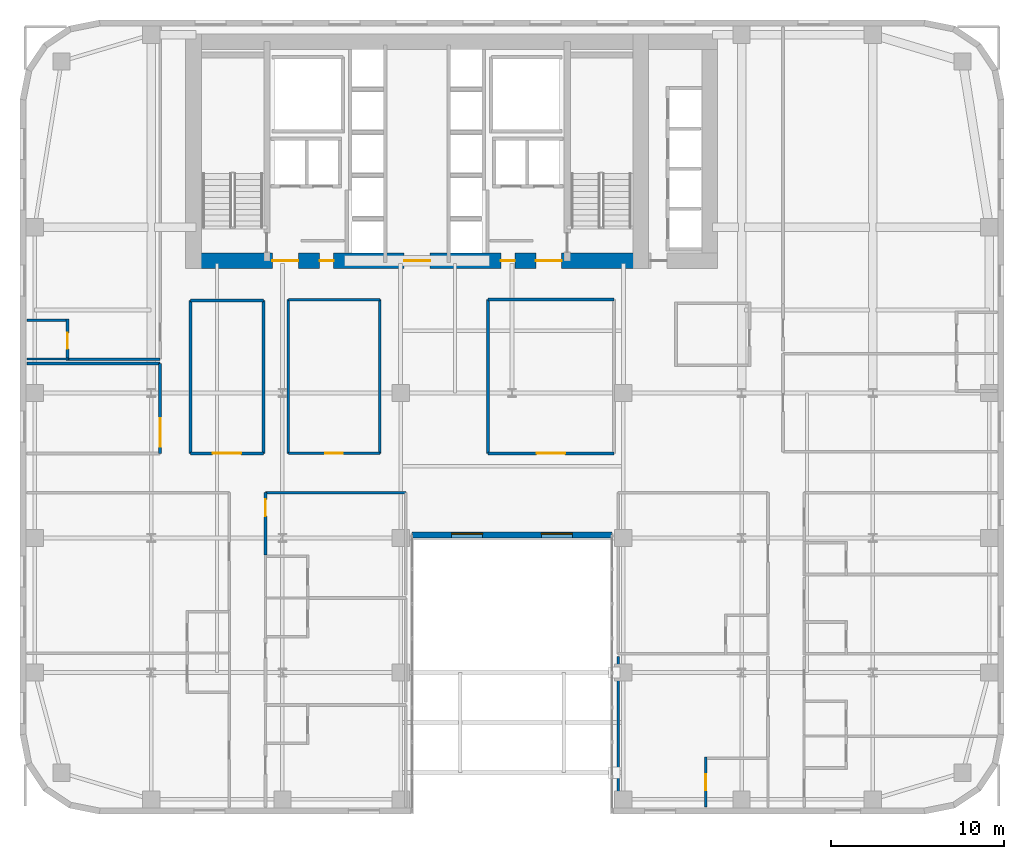
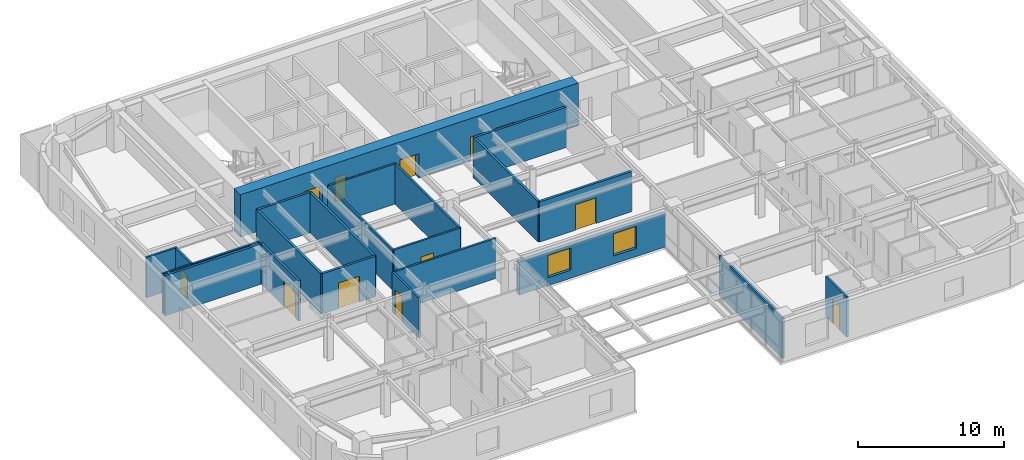
# One storey, part 11 of 16: 23 walls, 12 doors, 2 windows, 14 openings.
"""IFC4 building model written with IfcOpenShell, lengths in metres."""

from ifc_helpers import new_model, si_unit, direction, frame, frame_2d, origin, place, context, subcontext, project, spatial, rectangle, extrude, source, transform, mapped, material, layer, layer_set, type_object, type_shapes, element, fill, save


model = new_model("IFC4")

# Units and contexts
model_context = context("Model", 3, precision=1e-05, world=origin(), true_north=direction((0.0, 1.0)))
body_context = subcontext(model_context, "Body", "Model", "MODEL_VIEW")
ifc_project = project(units=[si_unit("LENGTHUNIT", "METRE"), si_unit("AREAUNIT", "SQUARE_METRE"), si_unit("VOLUMEUNIT", "CUBIC_METRE"), si_unit("PLANEANGLEUNIT", "RADIAN"), si_unit("MASSUNIT", "GRAM", prefix="KILO")], contexts=[model_context])

# Site, building, storey
site_placement = place(None, origin())
site = spatial("IfcSite", under=ifc_project, at=site_placement, CompositionType="ELEMENT")
building_placement = place(site_placement, origin())
building = spatial("IfcBuilding", under=site, at=building_placement, Name="Tolvann Quenvar Hotel", CompositionType="ELEMENT")
storey_placement = place(building_placement, frame((0.0, 0.0, 71.050048828125)))
storey = spatial("IfcBuildingStorey", under=building, at=storey_placement, Name="L17", CompositionType="ELEMENT", Elevation=71.050048828125)

# Wall, openings, doors
ifc_material_1 = material(Name="Concrete S80 (80 MPa)", Category="concrete")
ifc_layer_1 = layer(ifc_material_1, 0.89990234375)
ifc_layer_set_1 = layer_set([ifc_layer_1], Name="Concrete S80 (80 MPa)")
wall_type_1 = type_object("IfcWallType", Name="WALL_CORE_900", PredefinedType="SHEAR", material=ifc_layer_set_1)
wall_1_placement = place(storey_placement, frame((9.60009765625, 32.050048828125, 0.0), z_axis=(0.0, 0.0, 1.0), x_axis=(1.0, 0.0, 0.0)))
wall_1 = element("IfcWall", 1, at=wall_1_placement, inside=storey, type_object=wall_type_1, Name="Rear Core S Shear Wall (L17)", PredefinedType="SHEAR", context=body_context, shape_type="SweptSolid", body=[
    extrude(rectangle(XDim=26.7998046875, YDim=0.89990234375, at=frame_2d((13.39990234375, 0.0))), origin(), (0.0, 0.0, 1.0), 3.550048828125),
])
opening_1_placement = place(wall_1_placement, frame((6.52001953125, 0.0, 0.0), z_axis=(0.0, 0.0, 1.0), x_axis=(-1.0, 0.0, 0.0)))
opening_1 = element("IfcOpeningElement", 2, at=opening_1_placement, cuts=wall_1, Name="Opening FD-60D", PredefinedType="OPENING", context=body_context, shape_type="SweptSolid", body=[
    extrude(rectangle(XDim=1.5, YDim=2.0400390625, at=frame_2d((0.75, 1.02001953125))), frame((0.0, 0.4599609375, 0.0), z_axis=(0.0, -1.0, 0.0), x_axis=(1.0, 0.0, 0.0)), (0.0, 0.0, 1.0), 0.919921875),
])
opening_2_placement = place(wall_1_placement, frame((14.14990234375, 0.0, 0.0), z_axis=(0.0, 0.0, 1.0), x_axis=(-1.0, 0.0, 0.0)))
opening_2 = element("IfcOpeningElement", 3, at=opening_2_placement, cuts=wall_1, Name="Opening FD-60D", PredefinedType="OPENING", context=body_context, shape_type="SweptSolid", body=[
    extrude(rectangle(XDim=1.5, YDim=2.0400390625, at=frame_2d((0.75, 1.02001953125))), frame((0.0, 0.4599609375, 0.0), z_axis=(0.0, -1.0, 0.0), x_axis=(1.0, 0.0, 0.0)), (0.0, 0.0, 1.0), 0.919921875),
])
opening_3_placement = place(wall_1_placement, frame((21.780029296875, 0.0, 0.0), z_axis=(0.0, 0.0, 1.0), x_axis=(-1.0, 0.0, 0.0)))
opening_3 = element("IfcOpeningElement", 4, at=opening_3_placement, cuts=wall_1, Name="Opening FD-60D", PredefinedType="OPENING", context=body_context, shape_type="SweptSolid", body=[
    extrude(rectangle(XDim=1.5, YDim=2.0400390625, at=frame_2d((0.75, 1.02001953125))), frame((0.0, 0.4599609375, 0.0), z_axis=(0.0, -1.0, 0.0), x_axis=(1.0, 0.0, 0.0)), (0.0, 0.0, 1.0), 0.919921875),
])
opening_4_placement = place(wall_1_placement, frame((8.570068359375, 0.0, 0.0), z_axis=(0.0, 0.0, 1.0), x_axis=(-1.0, 0.0, 0.0)))
opening_4 = element("IfcOpeningElement", 5, at=opening_4_placement, cuts=wall_1, Name="Opening HD-02", PredefinedType="OPENING", context=body_context, shape_type="SweptSolid", body=[
    extrude(rectangle(XDim=0.820068359375, YDim=2.010009765625, at=frame_2d((0.41015625, 1.0048828125))), frame((0.0, 0.4599609375, 0.0), z_axis=(0.0, -1.0, 0.0), x_axis=(1.0, 0.0, 0.0)), (0.0, 0.0, 1.0), 0.919921875),
])
opening_5_placement = place(wall_1_placement, frame((19.070068359375, 0.0, 0.0), z_axis=(0.0, 0.0, 1.0), x_axis=(-1.0, 0.0, 0.0)))
opening_5 = element("IfcOpeningElement", 6, at=opening_5_placement, cuts=wall_1, Name="Opening HD-02", PredefinedType="OPENING", context=body_context, shape_type="SweptSolid", body=[
    extrude(rectangle(XDim=0.820068359375, YDim=2.010009765625, at=frame_2d((0.41015625, 1.0048828125))), frame((0.0, 0.4599609375, 0.0), z_axis=(0.0, -1.0, 0.0), x_axis=(1.0, 0.0, 0.0)), (0.0, 0.0, 1.0), 0.919921875),
])
ifc_material_2 = material(Name="Solid-core American oak acoustic fire door leaf in steel frame", Category="steel")
door_type_1 = type_object("IfcDoorType", Name="DOOR_FIRE_LOBBY_1500", OperationType="NOTDEFINED", PredefinedType="DOOR", material=ifc_material_2)
shared_shape_1 = source(origin(), body_context, "Body", "SweptSolid", [
    extrude(rectangle(XDim=1.5, YDim=2.0400390625, at=frame_2d((0.75, 1.02001953125))), frame((0.0, 0.02490234375, 0.0), z_axis=(0.0, -1.0, 0.0), x_axis=(1.0, 0.0, 0.0)), (0.0, 0.0, 1.0), 0.050048828125),
])
type_shapes(door_type_1, [shared_shape_1])
door_1_placement = place(opening_1_placement, origin())
door_1 = element("IfcDoor", 7, at=door_1_placement, inside=storey, type_object=door_type_1, Name="Core Lobby Fire Door FFW (L17)", OperationType="DOUBLE_DOOR_SINGLE_SWING", OverallHeight=2.0400390625, OverallWidth=1.5, PredefinedType="DOOR", context=body_context, shape_type="MappedRepresentation", body=[
    mapped(shared_shape_1, transform((0.0, 0.0, 0.0), x_axis=(1.0, 0.0, 0.0), y_axis=(0.0, 1.0, 0.0), z_axis=(0.0, 0.0, 1.0), scale=1.0)),
])
fill(opening_1, door_1)
door_2_placement = place(opening_2_placement, origin())
door_2 = element("IfcDoor", 8, at=door_2_placement, inside=storey, type_object=door_type_1, Name="Core Lobby Fire Door CLOB (L17)", OperationType="DOUBLE_DOOR_SINGLE_SWING", OverallHeight=2.0400390625, OverallWidth=1.5, PredefinedType="DOOR", context=body_context, shape_type="MappedRepresentation", body=[
    mapped(shared_shape_1, transform((0.0, 0.0, 0.0), x_axis=(1.0, 0.0, 0.0), y_axis=(0.0, 1.0, 0.0), z_axis=(0.0, 0.0, 1.0), scale=1.0)),
])
fill(opening_2, door_2)
door_3_placement = place(opening_3_placement, origin())
door_3 = element("IfcDoor", 9, at=door_3_placement, inside=storey, type_object=door_type_1, Name="Core Lobby Fire Door FFE (L17)", OperationType="DOUBLE_DOOR_SINGLE_SWING", OverallHeight=2.0400390625, OverallWidth=1.5, PredefinedType="DOOR", context=body_context, shape_type="MappedRepresentation", body=[
    mapped(shared_shape_1, transform((0.0, 0.0, 0.0), x_axis=(1.0, 0.0, 0.0), y_axis=(0.0, 1.0, 0.0), z_axis=(0.0, 0.0, 1.0), scale=1.0)),
])
fill(opening_3, door_3)
ifc_material_3 = material(Name="Pressed galvanised steel fire-rated door set", Category="steel")
door_type_2 = type_object("IfcDoorType", Name="DOOR_STORE_820", OperationType="NOTDEFINED", PredefinedType="DOOR", material=ifc_material_3)
shared_shape_2 = source(origin(), body_context, "Body", "SweptSolid", [
    extrude(rectangle(XDim=0.820068359375, YDim=2.010009765625, at=frame_2d((0.41015625, 1.0048828125))), frame((0.0, 0.02490234375, 0.0), z_axis=(0.0, -1.0, 0.0), x_axis=(1.0, 0.0, 0.0)), (0.0, 0.0, 1.0), 0.050048828125),
])
type_shapes(door_type_2, [shared_shape_2])
door_4_placement = place(opening_4_placement, origin())
door_4 = element("IfcDoor", 10, at=door_4_placement, inside=storey, type_object=door_type_2, Name="Core Linen Store Fire Door (L17)", OperationType="SINGLE_SWING_LEFT", OverallHeight=2.010009765625, OverallWidth=0.820068359375, PredefinedType="DOOR", context=body_context, shape_type="MappedRepresentation", body=[
    mapped(shared_shape_2, transform((0.0, 0.0, 0.0), x_axis=(1.0, 0.0, 0.0), y_axis=(0.0, 1.0, 0.0), z_axis=(0.0, 0.0, 1.0), scale=1.0)),
])
fill(opening_4, door_4)
door_5_placement = place(opening_5_placement, origin())
door_5 = element("IfcDoor", 11, at=door_5_placement, inside=storey, type_object=door_type_2, Name="Core Comms Closet Fire Door (L17)", OperationType="SINGLE_SWING_RIGHT", OverallHeight=2.010009765625, OverallWidth=0.820068359375, PredefinedType="DOOR", context=body_context, shape_type="MappedRepresentation", body=[
    mapped(shared_shape_2, transform((0.0, 0.0, 0.0), x_axis=(1.0, 0.0, 0.0), y_axis=(0.0, 1.0, 0.0), z_axis=(0.0, 0.0, 1.0), scale=1.0)),
])
fill(opening_5, door_5)

# Wall, openings, windows
ifc_material_4 = material(Name="Kiln-fired red and buff architectural clay brickwork and terracotta masonry", Category="masonry")
ifc_layer_2 = layer(ifc_material_4, 0.35009765625)
ifc_layer_set_2 = layer_set([ifc_layer_2], Name="Kiln-fired red and buff architectural clay brickwork and terracotta masonry")
wall_type_2 = type_object("IfcWallType", Name="WALL_EXT_BRICK_350", PredefinedType="SOLIDWALL", material=ifc_layer_set_2)
wall_2_placement = place(storey_placement, frame((22.7099609375, 16.175048828125, 0.0), z_axis=(0.0, 0.0, 1.0), x_axis=(1.0, 0.0, 0.0)))
wall_2 = element("IfcWall", 12, at=wall_2_placement, inside=storey, type_object=wall_type_2, Name="Exterior Chicago Brick Wall L17-E06", PredefinedType="SOLIDWALL", context=body_context, shape_type="SweptSolid", body=[
    extrude(rectangle(XDim=11.580078125, YDim=0.35009765625, at=frame_2d((5.7900390625, 0.0))), origin(), (0.0, 0.0, 1.0), 2.748046875),
])
opening_6_placement = place(wall_2_placement, frame((2.294921875, 0.0, 0.679931640625)))
opening_6 = element("IfcOpeningElement", 13, at=opening_6_placement, cuts=wall_2, Name="Opening W-03", PredefinedType="OPENING", context=body_context, shape_type="SweptSolid", body=[
    extrude(rectangle(XDim=1.800048828125, YDim=1.85009765625, at=frame_2d((0.89990234375, 0.925048828125))), frame((0.0, 0.18505859375, 0.0), z_axis=(0.0, -1.0, 0.0), x_axis=(1.0, 0.0, 0.0)), (0.0, 0.0, 1.0), 0.3701171875),
])
opening_7_placement = place(wall_2_placement, frame((7.485107421875, 0.0, 0.679931640625)))
opening_7 = element("IfcOpeningElement", 14, at=opening_7_placement, cuts=wall_2, Name="Opening W-03", PredefinedType="OPENING", context=body_context, shape_type="SweptSolid", body=[
    extrude(rectangle(XDim=1.800048828125, YDim=1.85009765625, at=frame_2d((0.89990234375, 0.925048828125))), frame((0.0, 0.18505859375, 0.0), z_axis=(0.0, -1.0, 0.0), x_axis=(1.0, 0.0, 0.0)), (0.0, 0.0, 1.0), 0.3701171875),
])
ifc_material_5 = material(Name="Thermally broken bronze-anodised aluminium frame with double low-E glazing", Category="aluminium")
window_type = type_object("IfcWindowType", Name="WIN_CHI_1800x2050", PartitioningType="TRIPLE_PANEL_HORIZONTAL", PredefinedType="WINDOW", material=ifc_material_5)
shared_shape_3 = source(origin(), body_context, "Body", "SweptSolid", [
    extrude(rectangle(XDim=1.800048828125, YDim=1.85009765625, at=frame_2d((0.89990234375, 0.925048828125))), frame((0.0, 0.090087890625, 0.0), z_axis=(0.0, -1.0, 0.0), x_axis=(1.0, 0.0, 0.0)), (0.0, 0.0, 1.0), 0.06005859375),
])
type_shapes(window_type, [shared_shape_3])
window_1_placement = place(opening_6_placement, origin())
window_1 = element("IfcWindow", 15, at=window_1_placement, inside=storey, type_object=window_type, Name="Chicago Window W-03 (EW-L17-E06-W01)", OverallHeight=1.85009765625, OverallWidth=1.800048828125, PartitioningType="TRIPLE_PANEL_HORIZONTAL", PredefinedType="WINDOW", context=body_context, shape_type="MappedRepresentation", body=[
    mapped(shared_shape_3, transform((0.0, 0.0, 0.0), x_axis=(1.0, 0.0, 0.0), y_axis=(0.0, 1.0, 0.0), z_axis=(0.0, 0.0, 1.0), scale=1.0)),
])
fill(opening_6, window_1)
window_2_placement = place(opening_7_placement, origin())
window_2 = element("IfcWindow", 16, at=window_2_placement, inside=storey, type_object=window_type, Name="Chicago Window W-03 (EW-L17-E06-W02)", OverallHeight=1.85009765625, OverallWidth=1.800048828125, PartitioningType="TRIPLE_PANEL_HORIZONTAL", PredefinedType="WINDOW", context=body_context, shape_type="MappedRepresentation", body=[
    mapped(shared_shape_3, transform((0.0, 0.0, 0.0), x_axis=(1.0, 0.0, 0.0), y_axis=(0.0, 1.0, 0.0), z_axis=(0.0, 0.0, 1.0), scale=1.0)),
])
fill(opening_7, window_2)

# Wall, opening, door
ifc_material_6 = material(Name="Acoustic twin-stud fire-rated gypsum plasterboard partition")
ifc_layer_3 = layer(ifc_material_6, 0.179931640625)
ifc_layer_set_3 = layer_set([ifc_layer_3], Name="Acoustic twin-stud fire-rated gypsum plasterboard partition")
wall_type_3 = type_object("IfcWallType", Name="WALL_PART_ACOUSTIC_180", PredefinedType="PARTITIONING", material=ifc_layer_set_3)
wall_3_placement = place(storey_placement, frame((8.1201171875, 20.89990234375, 0.0), z_axis=(0.0, 0.0, 1.0), x_axis=(0.0, 1.0, 0.0)))
wall_3 = element("IfcWall", 17, at=wall_3_placement, inside=storey, type_object=wall_type_3, Name="Interior Partition PT-SPC-L17-SAL-ENT", PredefinedType="PARTITIONING", context=body_context, shape_type="SweptSolid", body=[
    extrude(rectangle(XDim=5.2001953125, YDim=0.179931640625, at=frame_2d((2.60009765625, 0.0))), origin(), (0.0, 0.0, 1.0), 3.369873046875),
])
opening_8_placement = place(wall_3_placement, frame((0.375, 0.0, 0.0)))
opening_8 = element("IfcOpeningElement", 18, at=opening_8_placement, cuts=wall_3, Name="Opening AD-01", PredefinedType="OPENING", context=body_context, shape_type="SweptSolid", body=[
    extrude(rectangle(XDim=1.64990234375, YDim=2.14990234375, at=frame_2d((0.824951171875, 1.074951171875))), frame((0.0, 0.10009765625, 0.0), z_axis=(0.0, -1.0, 0.0), x_axis=(1.0, 0.0, 0.0)), (0.0, 0.0, 1.0), 0.199951171875),
])
door_type_3 = type_object("IfcDoorType", Name="DOOR_SALON_1650", OperationType="NOTDEFINED", PredefinedType="DOOR", material=ifc_material_2)
shared_shape_4 = source(origin(), body_context, "Body", "SweptSolid", [
    extrude(rectangle(XDim=1.64990234375, YDim=2.14990234375, at=frame_2d((0.824951171875, 1.074951171875))), frame((0.0, 0.02490234375, 0.0), z_axis=(0.0, -1.0, 0.0), x_axis=(1.0, 0.0, 0.0)), (0.0, 0.0, 1.0), 0.050048828125),
])
type_shapes(door_type_3, [shared_shape_4])
door_6_placement = place(opening_8_placement, origin())
door_6 = element("IfcDoor", 19, at=door_6_placement, inside=storey, type_object=door_type_3, Name="Interior Door DOOR-SPC-L17-SAL", OperationType="DOUBLE_DOOR_SINGLE_SWING", OverallHeight=2.14990234375, OverallWidth=1.64990234375, PredefinedType="DOOR", context=body_context, shape_type="MappedRepresentation", body=[
    mapped(shared_shape_4, transform((0.0, 0.0, 0.0), x_axis=(1.0, 0.0, 0.0), y_axis=(0.0, 1.0, 0.0), z_axis=(0.0, 0.0, 1.0), scale=1.0)),
])
fill(opening_8, door_6)

# Wall
wall_4_placement = place(storey_placement, frame((0.405029296875, 26.10009765625, 0.0), z_axis=(0.0, 0.0, 1.0), x_axis=(1.0, 0.0, 0.0)))
element("IfcWall", 20, at=wall_4_placement, inside=storey, type_object=wall_type_3, Name="Interior Partition PT-SPC-L17-SAL-N", PredefinedType="PARTITIONING", context=body_context, shape_type="SweptSolid", body=[
    extrude(rectangle(XDim=7.715087890625, YDim=0.179931640625, at=frame_2d((3.857421875, 0.0))), origin(), (0.0, 0.0, 1.0), 3.369873046875),
])

# Wall, opening, door
wall_5_placement = place(storey_placement, frame((9.8798828125, 20.89990234375, 0.0), z_axis=(0.0, 0.0, 1.0), x_axis=(1.0, 0.0, 0.0)))
wall_5 = element("IfcWall", 21, at=wall_5_placement, inside=storey, type_object=wall_type_3, Name="Interior Partition PT-SPC-L17-MSP-W-S", PredefinedType="PARTITIONING", context=body_context, shape_type="SweptSolid", body=[
    extrude(rectangle(XDim=4.22021484375, YDim=0.179931640625, at=frame_2d((2.110107421875, 0.0))), origin(), (0.0, 0.0, 1.0), 3.369873046875),
])
opening_9_placement = place(wall_5_placement, frame((1.284912109375, 0.0, 0.0)))
opening_9 = element("IfcOpeningElement", 22, at=opening_9_placement, cuts=wall_5, Name="Opening AD-01", PredefinedType="OPENING", context=body_context, shape_type="SweptSolid", body=[
    extrude(rectangle(XDim=1.64990234375, YDim=2.14990234375, at=frame_2d((0.824951171875, 1.074951171875))), frame((0.0, 0.10009765625, 0.0), z_axis=(0.0, -1.0, 0.0), x_axis=(1.0, 0.0, 0.0)), (0.0, 0.0, 1.0), 0.199951171875),
])
door_7_placement = place(opening_9_placement, origin())
door_7 = element("IfcDoor", 23, at=door_7_placement, inside=storey, type_object=door_type_3, Name="Interior Door DOOR-SPC-L17-MSP-W", OperationType="DOUBLE_DOOR_SINGLE_SWING", OverallHeight=2.14990234375, OverallWidth=1.64990234375, PredefinedType="DOOR", context=body_context, shape_type="MappedRepresentation", body=[
    mapped(shared_shape_4, transform((0.0, 0.0, 0.0), x_axis=(1.0, 0.0, 0.0), y_axis=(0.0, 1.0, 0.0), z_axis=(0.0, 0.0, 1.0), scale=1.0)),
])
fill(opening_9, door_7)

# Walls
wall_6_placement = place(storey_placement, frame((9.8798828125, 29.75, 0.0), z_axis=(0.0, 0.0, 1.0), x_axis=(1.0, 0.0, 0.0)))
element("IfcWall", 24, at=wall_6_placement, inside=storey, type_object=wall_type_3, Name="Interior Partition PT-SPC-L17-MSP-W-N", PredefinedType="PARTITIONING", context=body_context, shape_type="SweptSolid", body=[
    extrude(rectangle(XDim=4.22021484375, YDim=0.179931640625, at=frame_2d((2.110107421875, 0.0))), origin(), (0.0, 0.0, 1.0), 3.369873046875),
])
for number, where, z_axis, x_axis, name in (
    (25, (9.8798828125, 20.89990234375, 0.0), (0.0, 0.0, 1.0), (0.0, 1.0, 0.0), "Interior Partition PT-SPC-L17-MSP-W-W"),
    (26, (14.10009765625, 20.89990234375, 0.0), (0.0, 0.0, 1.0), (0.0, 1.0, 0.0), "Interior Partition PT-SPC-L17-MSP-W-E"),
):
    element("IfcWall", number, at=place(storey_placement, frame(where, z_axis=z_axis, x_axis=x_axis)), inside=storey, type_object=wall_type_3, Name=name, PredefinedType="PARTITIONING", context=body_context, shape_type="SweptSolid", body=[
        extrude(rectangle(XDim=8.85009765625, YDim=0.179931640625, at=frame_2d((4.425048828125, 0.0))), origin(), (0.0, 0.0, 1.0), 3.369873046875),
    ])

# Wall, opening, door
wall_7_placement = place(storey_placement, frame((27.10009765625, 20.89990234375, 0.0), z_axis=(0.0, 0.0, 1.0), x_axis=(1.0, 0.0, 0.0)))
wall_7 = element("IfcWall", 27, at=wall_7_placement, inside=storey, type_object=wall_type_3, Name="Interior Partition PT-SPC-L17-MSP-C-S", PredefinedType="PARTITIONING", context=body_context, shape_type="SweptSolid", body=[
    extrude(rectangle(XDim=7.2998046875, YDim=0.179931640625, at=frame_2d((3.64990234375, 0.0))), origin(), (0.0, 0.0, 1.0), 3.369873046875),
])
opening_10_placement = place(wall_7_placement, frame((2.824951171875, 0.0, 0.0)))
opening_10 = element("IfcOpeningElement", 28, at=opening_10_placement, cuts=wall_7, Name="Opening AD-01", PredefinedType="OPENING", context=body_context, shape_type="SweptSolid", body=[
    extrude(rectangle(XDim=1.64990234375, YDim=2.14990234375, at=frame_2d((0.824951171875, 1.074951171875))), frame((0.0, 0.10009765625, 0.0), z_axis=(0.0, -1.0, 0.0), x_axis=(1.0, 0.0, 0.0)), (0.0, 0.0, 1.0), 0.199951171875),
])
door_8_placement = place(opening_10_placement, origin())
door_8 = element("IfcDoor", 29, at=door_8_placement, inside=storey, type_object=door_type_3, Name="Interior Door DOOR-SPC-L17-MSP-C", OperationType="DOUBLE_DOOR_SINGLE_SWING", OverallHeight=2.14990234375, OverallWidth=1.64990234375, PredefinedType="DOOR", context=body_context, shape_type="MappedRepresentation", body=[
    mapped(shared_shape_4, transform((0.0, 0.0, 0.0), x_axis=(1.0, 0.0, 0.0), y_axis=(0.0, 1.0, 0.0), z_axis=(0.0, 0.0, 1.0), scale=1.0)),
])
fill(opening_10, door_8)

# Walls
wall_8_placement = place(storey_placement, frame((27.10009765625, 29.800048828125, 0.0), z_axis=(0.0, 0.0, 1.0), x_axis=(1.0, 0.0, 0.0)))
element("IfcWall", 30, at=wall_8_placement, inside=storey, type_object=wall_type_3, Name="Interior Partition PT-SPC-L17-MSP-C-N", PredefinedType="PARTITIONING", context=body_context, shape_type="SweptSolid", body=[
    extrude(rectangle(XDim=7.2998046875, YDim=0.179931640625, at=frame_2d((3.64990234375, 0.0))), origin(), (0.0, 0.0, 1.0), 3.369873046875),
])
wall_9_placement = place(storey_placement, frame((27.10009765625, 20.89990234375, 0.0), z_axis=(0.0, 0.0, 1.0), x_axis=(0.0, 1.0, 0.0)))
element("IfcWall", 31, at=wall_9_placement, inside=storey, type_object=wall_type_3, Name="Interior Partition PT-SPC-L17-MSP-C-W", PredefinedType="PARTITIONING", context=body_context, shape_type="SweptSolid", body=[
    extrude(rectangle(XDim=8.900146484375, YDim=0.179931640625, at=frame_2d((4.4501953125, 0.0))), origin(), (0.0, 0.0, 1.0), 3.369873046875),
])
ifc_material_7 = material(Name="Moisture-resistant acoustic plumbing wall assembly")
ifc_layer_4 = layer(ifc_material_7, 0.1201171875)
ifc_layer_set_4 = layer_set([ifc_layer_4], Name="Moisture-resistant acoustic plumbing wall assembly")
wall_type_4 = type_object("IfcWallType", Name="WALL_PART_BATH_120", PredefinedType="PLUMBINGWALL", material=ifc_layer_set_4)
wall_10_placement = place(storey_placement, frame((0.405029296875, 26.360107421875, 0.0), z_axis=(0.0, 0.0, 1.0), x_axis=(1.0, 0.0, 0.0)))
element("IfcWall", 32, at=wall_10_placement, inside=storey, type_object=wall_type_4, Name="Non-Rated Plumbing Partition PT-SPC-L17-ENS-NW01-S", PredefinedType="PLUMBINGWALL", context=body_context, shape_type="SweptSolid", body=[
    extrude(rectangle(XDim=2.4150390625, YDim=0.1201171875, at=frame_2d((1.20751953125, 0.0))), origin(), (0.0, 0.0, 1.0), 3.369873046875),
])

# Wall, opening, door
ifc_layer_5 = layer(ifc_material_6, 0.14990234375)
ifc_layer_set_5 = layer_set([ifc_layer_5], Name="Acoustic twin-stud fire-rated gypsum plasterboard partition")
wall_type_5 = type_object("IfcWallType", Name="WALL_PART_SUITE_150", PredefinedType="PARTITIONING", material=ifc_layer_set_5)
wall_11_placement = place(storey_placement, frame((39.72998046875, 0.405029296875, 0.0), z_axis=(0.0, 0.0, 1.0), x_axis=(0.0, 1.0, 0.0)))
wall_11 = element("IfcWall", 33, at=wall_11_placement, inside=storey, type_object=wall_type_5, Name="Interior Partition PT-SPC-L17-ENS-EI01-ENT", PredefinedType="PARTITIONING", context=body_context, shape_type="SweptSolid", body=[
    extrude(rectangle(XDim=2.89501953125, YDim=0.14990234375, at=frame_2d((1.447509765625, 0.0))), origin(), (0.0, 0.0, 1.0), 3.369873046875),
])
opening_11_placement = place(wall_11_placement, frame((0.97998046875, 0.0, 0.0)))
opening_11 = element("IfcOpeningElement", 34, at=opening_11_placement, cuts=wall_11, Name="Opening WD-01", PredefinedType="OPENING", context=body_context, shape_type="SweptSolid", body=[
    extrude(rectangle(XDim=0.919921875, YDim=2.010009765625, at=frame_2d((0.4599609375, 1.0048828125))), frame((0.0, 0.0849609375, 0.0), z_axis=(0.0, -1.0, 0.0), x_axis=(1.0, 0.0, 0.0)), (0.0, 0.0, 1.0), 0.169921875),
])
door_type_4 = type_object("IfcDoorType", Name="DOOR_WC_920", OperationType="NOTDEFINED", PredefinedType="DOOR", material=ifc_material_2)
shared_shape_5 = source(origin(), body_context, "Body", "SweptSolid", [
    extrude(rectangle(XDim=0.919921875, YDim=2.010009765625, at=frame_2d((0.4599609375, 1.0048828125))), frame((0.0, 0.02490234375, 0.0), z_axis=(0.0, -1.0, 0.0), x_axis=(1.0, 0.0, 0.0)), (0.0, 0.0, 1.0), 0.050048828125),
])
type_shapes(door_type_4, [shared_shape_5])
door_9_placement = place(opening_11_placement, origin())
door_9 = element("IfcDoor", 35, at=door_9_placement, inside=storey, type_object=door_type_4, Name="Interior Door DOOR-SPC-L17-ENS-EI01", OperationType="SINGLE_SWING_LEFT", OverallHeight=2.010009765625, OverallWidth=0.919921875, PredefinedType="DOOR", context=body_context, shape_type="MappedRepresentation", body=[
    mapped(shared_shape_5, transform((0.0, 0.0, 0.0), x_axis=(1.0, 0.0, 0.0), y_axis=(0.0, 1.0, 0.0), z_axis=(0.0, 0.0, 1.0), scale=1.0)),
])
fill(opening_11, door_9)

wall_12_placement = place(storey_placement, frame((2.75, 26.2900390625, 0.0), z_axis=(0.0, 0.0, 1.0), x_axis=(0.0, 1.0, 0.0)))
wall_12 = element("IfcWall", 36, at=wall_12_placement, inside=storey, type_object=wall_type_5, Name="Interior Partition PT-SPC-L17-ENS-NW01-ENT", PredefinedType="PARTITIONING", context=body_context, shape_type="SweptSolid", body=[
    extrude(rectangle(XDim=2.389892578125, YDim=0.14990234375, at=frame_2d((1.19482421875, 0.0))), origin(), (0.0, 0.0, 1.0), 3.369873046875),
])
opening_12_placement = place(wall_12_placement, frame((0.6650390625, 0.0, 0.0)))
opening_12 = element("IfcOpeningElement", 37, at=opening_12_placement, cuts=wall_12, Name="Opening WD-01", PredefinedType="OPENING", context=body_context, shape_type="SweptSolid", body=[
    extrude(rectangle(XDim=0.919921875, YDim=2.010009765625, at=frame_2d((0.4599609375, 1.0048828125))), frame((0.0, 0.0849609375, 0.0), z_axis=(0.0, -1.0, 0.0), x_axis=(1.0, 0.0, 0.0)), (0.0, 0.0, 1.0), 0.169921875),
])
door_10_placement = place(opening_12_placement, origin())
door_10 = element("IfcDoor", 38, at=door_10_placement, inside=storey, type_object=door_type_4, Name="Interior Door DOOR-SPC-L17-ENS-NW01", OperationType="SINGLE_SWING_LEFT", OverallHeight=2.010009765625, OverallWidth=0.919921875, PredefinedType="DOOR", context=body_context, shape_type="MappedRepresentation", body=[
    mapped(shared_shape_5, transform((0.0, 0.0, 0.0), x_axis=(1.0, 0.0, 0.0), y_axis=(0.0, 1.0, 0.0), z_axis=(0.0, 0.0, 1.0), scale=1.0)),
])
fill(opening_12, door_10)

# Wall
wall_13_placement = place(storey_placement, frame((0.405029296875, 28.610107421875, 0.0), z_axis=(0.0, 0.0, 1.0), x_axis=(1.0, 0.0, 0.0)))
element("IfcWall", 39, at=wall_13_placement, inside=storey, type_object=wall_type_5, Name="Interior Partition PT-SPC-L17-ENS-NW01-N", PredefinedType="PARTITIONING", context=body_context, shape_type="SweptSolid", body=[
    extrude(rectangle(XDim=2.4150390625, YDim=0.14990234375, at=frame_2d((1.20751953125, 0.0))), origin(), (0.0, 0.0, 1.0), 3.369873046875),
])

# Wall, opening, door
wall_14_placement = place(storey_placement, frame((14.219970703125, 15.010009765625, 0.0), z_axis=(0.0, 0.0, 1.0), x_axis=(0.0, 1.0, 0.0)))
wall_14 = element("IfcWall", 40, at=wall_14_placement, inside=storey, type_object=wall_type_5, Name="Interior Partition PT-SPC-L17-RM-WI03-ENT", PredefinedType="PARTITIONING", context=body_context, shape_type="SweptSolid", body=[
    extrude(rectangle(XDim=3.610107421875, YDim=0.14990234375, at=frame_2d((1.80517578125, 0.0))), origin(), (0.0, 0.0, 1.0), 3.369873046875),
])
opening_13_placement = place(wall_14_placement, frame((2.2451171875, 0.0, 0.0)))
opening_13 = element("IfcOpeningElement", 41, at=opening_13_placement, cuts=wall_14, Name="Opening SD-01", PredefinedType="OPENING", context=body_context, shape_type="SweptSolid", body=[
    extrude(rectangle(XDim=0.97998046875, YDim=2.1201171875, at=frame_2d((0.489990234375, 1.06005859375))), frame((0.0, 0.0849609375, 0.0), z_axis=(0.0, -1.0, 0.0), x_axis=(1.0, 0.0, 0.0)), (0.0, 0.0, 1.0), 0.169921875),
])
door_type_5 = type_object("IfcDoorType", Name="DOOR_SUITE_980", OperationType="NOTDEFINED", PredefinedType="DOOR", material=ifc_material_2)
shared_shape_6 = source(origin(), body_context, "Body", "SweptSolid", [
    extrude(rectangle(XDim=0.97998046875, YDim=2.1201171875, at=frame_2d((0.489990234375, 1.06005859375))), frame((0.0, 0.02490234375, 0.0), z_axis=(0.0, -1.0, 0.0), x_axis=(1.0, 0.0, 0.0)), (0.0, 0.0, 1.0), 0.050048828125),
])
type_shapes(door_type_5, [shared_shape_6])
door_11_placement = place(opening_13_placement, origin())
door_11 = element("IfcDoor", 42, at=door_11_placement, inside=storey, type_object=door_type_5, Name="Interior Door DOOR-SPC-L17-RM-WI03", OperationType="SINGLE_SWING_RIGHT", OverallHeight=2.1201171875, OverallWidth=0.97998046875, PredefinedType="DOOR", context=body_context, shape_type="MappedRepresentation", body=[
    mapped(shared_shape_6, transform((0.0, 0.0, 0.0), x_axis=(1.0, 0.0, 0.0), y_axis=(0.0, 1.0, 0.0), z_axis=(0.0, 0.0, 1.0), scale=1.0)),
])
fill(opening_13, door_11)

# Walls
wall_15_placement = place(storey_placement, frame((14.219970703125, 18.6201171875, 0.0), z_axis=(0.0, 0.0, 1.0), x_axis=(1.0, 0.0, 0.0)))
element("IfcWall", 43, at=wall_15_placement, inside=storey, type_object=wall_type_5, Name="Interior Partition PT-SPC-L17-RM-WI03-E5", PredefinedType="PARTITIONING", context=body_context, shape_type="SweptSolid", body=[
    extrude(rectangle(XDim=8.130126953125, YDim=0.14990234375, at=frame_2d((4.06494140625, 0.0))), origin(), (0.0, 0.0, 1.0), 3.369873046875),
])
wall_16_placement = place(storey_placement, frame((34.64990234375, 0.405029296875, 0.0), z_axis=(0.0, 0.0, 1.0), x_axis=(0.0, 1.0, 0.0)))
element("IfcWall", 44, at=wall_16_placement, inside=storey, type_object=wall_type_5, Name="Interior Partition PT-SPC-L17-RM-EI01-E6", PredefinedType="PARTITIONING", context=body_context, shape_type="SweptSolid", body=[
    extrude(rectangle(XDim=8.715087890625, YDim=0.14990234375, at=frame_2d((4.357421875, 0.0))), origin(), (0.0, 0.0, 1.0), 3.369873046875),
])
wall_17_placement = place(storey_placement, frame((2.77001953125, 26.360107421875, 0.0), z_axis=(0.0, 0.0, 1.0), x_axis=(1.0, 0.0, 0.0)))
element("IfcWall", 45, at=wall_17_placement, inside=storey, type_object=wall_type_5, Name="Interior Partition PT-SPC-L17-RM-NW01-E3", PredefinedType="PARTITIONING", context=body_context, shape_type="SweptSolid", body=[
    extrude(rectangle(XDim=5.35009765625, YDim=0.14990234375, at=frame_2d((2.675048828125, 0.0))), origin(), (0.0, 0.0, 1.0), 3.369873046875),
])

# Wall, opening, door
wall_18_placement = place(storey_placement, frame((15.550048828125, 20.89990234375, 0.0), z_axis=(0.0, 0.0, 1.0), x_axis=(1.0, 0.0, 0.0)))
wall_18 = element("IfcWall", 46, at=wall_18_placement, inside=storey, type_object=wall_type_5, Name="Interior Partition PT-SPC-L17-MSP-N-S", PredefinedType="PARTITIONING", context=body_context, shape_type="SweptSolid", body=[
    extrude(rectangle(XDim=5.300048828125, YDim=0.14990234375, at=frame_2d((2.64990234375, 0.0))), origin(), (0.0, 0.0, 1.0), 3.369873046875),
])
opening_14_placement = place(wall_18_placement, frame((2.139892578125, 0.0, 0.0)))
opening_14 = element("IfcOpeningElement", 47, at=opening_14_placement, cuts=wall_18, Name="Opening HD-01", PredefinedType="OPENING", context=body_context, shape_type="SweptSolid", body=[
    extrude(rectangle(XDim=1.02001953125, YDim=2.030029296875, at=frame_2d((0.510009765625, 1.01513671875))), frame((0.0, 0.0849609375, 0.0), z_axis=(0.0, -1.0, 0.0), x_axis=(1.0, 0.0, 0.0)), (0.0, 0.0, 1.0), 0.169921875),
])
door_type_6 = type_object("IfcDoorType", Name="DOOR_BOH_1020", OperationType="NOTDEFINED", PredefinedType="DOOR", material=ifc_material_3)
shared_shape_7 = source(origin(), body_context, "Body", "SweptSolid", [
    extrude(rectangle(XDim=1.02001953125, YDim=2.030029296875, at=frame_2d((0.510009765625, 1.01513671875))), frame((0.0, 0.02490234375, 0.0), z_axis=(0.0, -1.0, 0.0), x_axis=(1.0, 0.0, 0.0)), (0.0, 0.0, 1.0), 0.050048828125),
])
type_shapes(door_type_6, [shared_shape_7])
door_12_placement = place(opening_14_placement, origin())
door_12 = element("IfcDoor", 48, at=door_12_placement, inside=storey, type_object=door_type_6, Name="Interior Door DOOR-SPC-L17-MSP-N", OperationType="SINGLE_SWING_LEFT", OverallHeight=2.030029296875, OverallWidth=1.02001953125, PredefinedType="DOOR", context=body_context, shape_type="MappedRepresentation", body=[
    mapped(shared_shape_7, transform((0.0, 0.0, 0.0), x_axis=(1.0, 0.0, 0.0), y_axis=(0.0, 1.0, 0.0), z_axis=(0.0, 0.0, 1.0), scale=1.0)),
])
fill(opening_14, door_12)

# Walls
wall_19_placement = place(storey_placement, frame((15.550048828125, 29.800048828125, 0.0), z_axis=(0.0, 0.0, 1.0), x_axis=(1.0, 0.0, 0.0)))
element("IfcWall", 49, at=wall_19_placement, inside=storey, type_object=wall_type_5, Name="Interior Partition PT-SPC-L17-MSP-N-N", PredefinedType="PARTITIONING", context=body_context, shape_type="SweptSolid", body=[
    extrude(rectangle(XDim=5.300048828125, YDim=0.14990234375, at=frame_2d((2.64990234375, 0.0))), origin(), (0.0, 0.0, 1.0), 3.369873046875),
])
for number, where, z_axis, x_axis, name in (
    (50, (15.550048828125, 20.89990234375, 0.0), (0.0, 0.0, 1.0), (0.0, 1.0, 0.0), "Interior Partition PT-SPC-L17-MSP-N-W"),
    (51, (20.85009765625, 20.89990234375, 0.0), (0.0, 0.0, 1.0), (0.0, 1.0, 0.0), "Interior Partition PT-SPC-L17-MSP-N-E"),
):
    element("IfcWall", number, at=place(storey_placement, frame(where, z_axis=z_axis, x_axis=x_axis)), inside=storey, type_object=wall_type_5, Name=name, PredefinedType="PARTITIONING", context=body_context, shape_type="SweptSolid", body=[
        extrude(rectangle(XDim=8.900146484375, YDim=0.14990234375, at=frame_2d((4.4501953125, 0.0))), origin(), (0.0, 0.0, 1.0), 3.369873046875),
    ])

save(model, "model.ifc")
